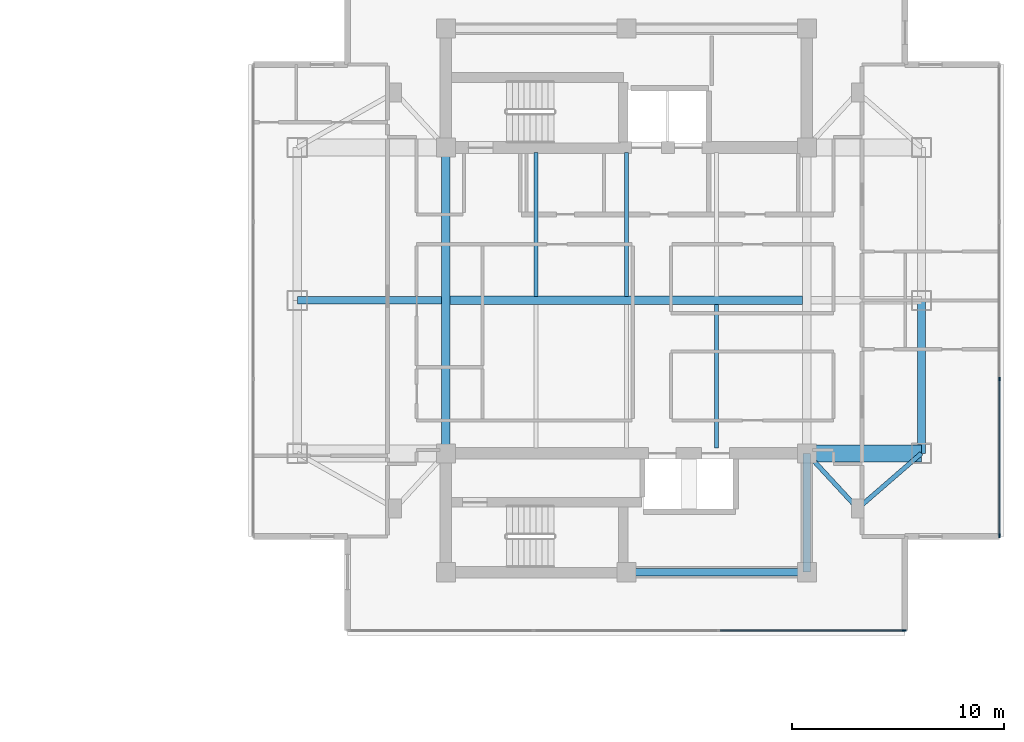
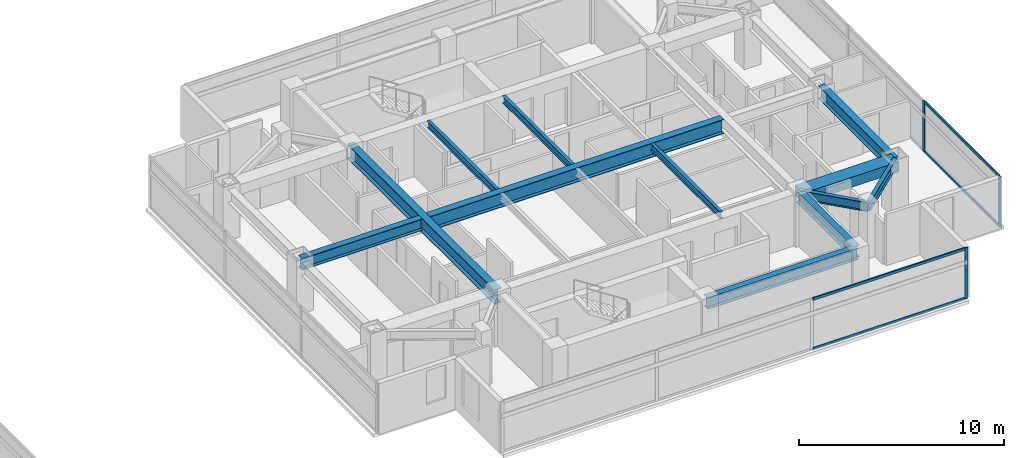
# One storey, part 9 of 24: 12 beams, 7 members, 2 elements without a shape of their own.
"""IFC4 building model written with IfcOpenShell, lengths in metres."""

from ifc_helpers import new_model, si_unit, direction, frame, origin, origin_2d, place, context, subcontext, project, spatial, rectangle, i_section, extrude, material, material_profile, profile_set, type_object, element, aggregate, save


model = new_model("IFC4")

# Units and contexts
model_context = context("Model", 3, precision=1e-05, world=origin(), true_north=direction((0.0, 1.0)))
body_context = subcontext(model_context, "Body", "Model", "MODEL_VIEW")
ifc_project = project(units=[si_unit("LENGTHUNIT", "METRE"), si_unit("AREAUNIT", "SQUARE_METRE"), si_unit("VOLUMEUNIT", "CUBIC_METRE"), si_unit("PLANEANGLEUNIT", "RADIAN"), si_unit("MASSUNIT", "GRAM", prefix="KILO")], contexts=[model_context])

# Site, building, storey
site_placement = place(None, origin())
site = spatial("IfcSite", under=ifc_project, at=site_placement, CompositionType="ELEMENT")
building_placement = place(site_placement, origin())
building = spatial("IfcBuilding", under=site, at=building_placement, Name="Mirazonda Arch Towers", CompositionType="ELEMENT")
storey_placement = place(building_placement, frame((0.0, 0.0, 199.89990234375)))
storey = spatial("IfcBuildingStorey", under=building, at=storey_placement, Name="L57", CompositionType="ELEMENT", Elevation=199.89990234375)

# Beams
ifc_material_1 = material(Name="Steel ASTM A992 Grade 50", Category="steel")
ifc_material_profile_1 = material_profile(ifc_material_1, i_section(OverallWidth=0.381103515625, OverallDepth=0.77294921875, WebThickness=0.0166015625, FlangeThickness=0.027099609375, at=origin_2d()), Name="W30X173")
ifc_profile_set_1 = profile_set([ifc_material_profile_1], Name="Steel ASTM A992 Grade 50")
beam_type_1 = type_object("IfcBeamType", Name="BM-EXT-W30X173", PredefinedType="USERDEFINED", material=ifc_profile_set_1)
beam_1_placement = place(storey_placement, frame((90.39990234375, 20.800048828125, 2.66357421875), z_axis=(0.0, 1.0, 0.0), x_axis=(-1.0, 0.0, 0.0)))
element("IfcBeam", 1, at=beam_1_placement, inside=storey, type_object=beam_type_1, Name="L57 Floor Beam BM-T2-L57-NS-E-20", ObjectType="GIRDER", PredefinedType="USERDEFINED", context=body_context, shape_type="SweptSolid", body=[
    extrude(i_section(OverallWidth=0.381103515625, OverallDepth=0.77294921875, WebThickness=0.0166015625, FlangeThickness=0.027099609375, at=origin_2d()), origin(), (0.0, 0.0, 1.0), 7.199951171875),
])
ifc_material_profile_2 = material_profile(ifc_material_1, i_section(OverallWidth=0.180908203125, OverallDepth=0.4169921875, WebThickness=0.010986328125, FlangeThickness=0.018310546875, at=origin_2d()), Name="W16X57")
ifc_profile_set_2 = profile_set([ifc_material_profile_2], Name="Steel ASTM A992 Grade 50")
beam_type_2 = type_object("IfcBeamType", Name="BM-INT-W16X57", PredefinedType="JOIST", material=ifc_profile_set_2)
for number, where, z_axis, x_axis, name in (
    (2, (72.25, 28.196044921875, 2.841552734375), (0.0, 1.0, 0.0), (-1.0, 0.0, 0.0), "L57 Floor Beam BM-T2-L57-J-722-28"),
    (3, (76.5, 28.196044921875, 2.841552734375), (0.0, 1.0, 0.0), (-1.0, 0.0, 0.0), "L57 Floor Beam BM-T2-L57-J-765-28"),
    (4, (80.75, 21.0400390625, 2.841552734375), (0.0, 1.0, 0.0), (-1.0, 0.0, 0.0), "L57 Floor Beam BM-T2-L57-J-807-20"),
):
    element("IfcBeam", number, at=place(storey_placement, frame(where, z_axis=z_axis, x_axis=x_axis)), inside=storey, type_object=beam_type_2, Name=name, PredefinedType="JOIST", context=body_context, shape_type="SweptSolid", body=[
        extrude(i_section(OverallWidth=0.180908203125, OverallDepth=0.4169921875, WebThickness=0.010986328125, FlangeThickness=0.018310546875, at=origin_2d()), origin(), (0.0, 0.0, 1.0), 6.763916015625),
    ])
ifc_material_profile_3 = material_profile(ifc_material_1, i_section(OverallWidth=0.214111328125, OverallDepth=0.549072265625, WebThickness=0.0146484375, FlangeThickness=0.023681640625, at=origin_2d()), Name="W21X93")
ifc_profile_set_3 = profile_set([ifc_material_profile_3], Name="Steel ASTM A992 Grade 50")
beam_type_3 = type_object("IfcBeamType", Name="BM-INT-W21X93", PredefinedType="BEAM", material=ifc_profile_set_3)
beam_2_placement = place(storey_placement, frame((87.39990234375, 18.199951171875, 2.775634765625), z_axis=(-0.678251444854, 0.734829897019, 0.0), x_axis=(-0.734829897019, -0.678251444854, 0.0)))
element("IfcBeam", 5, at=beam_2_placement, inside=storey, type_object=beam_type_3, Name="L57 Floor Beam BM-T2-L57-PL-SE1", PredefinedType="BEAM", context=body_context, shape_type="SweptSolid", body=[
    extrude(i_section(OverallWidth=0.214111328125, OverallDepth=0.549072265625, WebThickness=0.0146484375, FlangeThickness=0.023681640625, at=origin_2d()), origin(), (0.0, 0.0, 1.0), 3.538330078125),
])
beam_3_placement = place(storey_placement, frame((87.39990234375, 18.199951171875, 2.775634765625), z_axis=(0.755676908098, 0.654944585876, 0.0), x_axis=(-0.654944585876, 0.755676908098, 0.0)))
element("IfcBeam", 6, at=beam_3_placement, inside=storey, type_object=beam_type_3, Name="L57 Floor Beam BM-T2-L57-PL-SE2", PredefinedType="BEAM", context=body_context, shape_type="SweptSolid", body=[
    extrude(i_section(OverallWidth=0.214111328125, OverallDepth=0.549072265625, WebThickness=0.0146484375, FlangeThickness=0.023681640625, at=origin_2d()), origin(), (0.0, 0.0, 1.0), 3.969970703125),
])
ifc_material_profile_4 = material_profile(ifc_material_1, i_section(OverallWidth=0.35498046875, OverallDepth=0.696044921875, WebThickness=0.015380859375, FlangeThickness=0.02490234375, at=origin_2d()), Name="W27X146")
ifc_profile_set_4 = profile_set([ifc_material_profile_4], Name="Steel ASTM A992 Grade 50")
beam_type_4 = type_object("IfcBeamType", Name="BM-INT-W27X146", PredefinedType="BEAM", material=ifc_profile_set_4)
beam_4_placement = place(storey_placement, frame((76.5, 15.199951171875, 2.7021484375), z_axis=(1.0, 0.0, 0.0), x_axis=(0.0, 1.0, 0.0)))
element("IfcBeam", 7, at=beam_4_placement, inside=storey, type_object=beam_type_4, Name="L57 Floor Beam BM-T2-L57-CS2", PredefinedType="BEAM", context=body_context, shape_type="SweptSolid", body=[
    extrude(i_section(OverallWidth=0.35498046875, OverallDepth=0.696044921875, WebThickness=0.015380859375, FlangeThickness=0.02490234375, at=origin_2d()), origin(), (0.0, 0.0, 1.0), 8.5),
])
beam_5_placement = place(storey_placement, frame((85.0, 15.199951171875, 2.7021484375), z_axis=(0.0, 1.0, 0.0), x_axis=(-1.0, 0.0, 0.0)))
element("IfcBeam", 8, at=beam_5_placement, inside=storey, type_object=beam_type_4, Name="L57 Floor Beam BM-T2-L57-CSE", PredefinedType="BEAM", context=body_context, shape_type="SweptSolid", body=[
    extrude(i_section(OverallWidth=0.35498046875, OverallDepth=0.696044921875, WebThickness=0.015380859375, FlangeThickness=0.02490234375, at=origin_2d()), origin(), (0.0, 0.0, 1.0), 5.60009765625),
])
beam_6_placement = place(storey_placement, frame((61.0, 28.0, 2.7021484375), z_axis=(1.0, 0.0, 0.0), x_axis=(0.0, 1.0, 0.0)))
element("IfcBeam", 9, at=beam_6_placement, inside=storey, type_object=beam_type_4, Name="L57 Floor Beam BM-T2-L57-GW2", PredefinedType="BEAM", context=body_context, shape_type="SweptSolid", body=[
    extrude(i_section(OverallWidth=0.35498046875, OverallDepth=0.696044921875, WebThickness=0.015380859375, FlangeThickness=0.02490234375, at=origin_2d()), origin(), (0.0, 0.0, 1.0), 6.800048828125),
])
ifc_material_profile_5 = material_profile(ifc_material_1, i_section(OverallWidth=0.39990234375, OverallDepth=0.85595703125, WebThickness=0.018310546875, FlangeThickness=0.029296875, at=origin_2d()), Name="W33X201")
ifc_profile_set_5 = profile_set([ifc_material_profile_5], Name="Steel ASTM A992 Grade 50")
beam_type_5 = type_object("IfcBeamType", Name="BM-INT-W33X201", PredefinedType="USERDEFINED", material=ifc_profile_set_5)
beam_7_placement = place(storey_placement, frame((68.199951171875, 28.0, 2.6220703125), z_axis=(1.0, 0.0, 0.0), x_axis=(0.0, 1.0, 0.0)))
element("IfcBeam", 10, at=beam_7_placement, inside=storey, type_object=beam_type_5, Name="L57 Floor Beam BM-T2-L57-GC2", ObjectType="GIRDER", PredefinedType="USERDEFINED", context=body_context, shape_type="SweptSolid", body=[
    extrude(i_section(OverallWidth=0.39990234375, OverallDepth=0.85595703125, WebThickness=0.018310546875, FlangeThickness=0.029296875, at=origin_2d()), origin(), (0.0, 0.0, 1.0), 16.60009765625),
])
beam_8_placement = place(storey_placement, frame((68.0, 20.800048828125, 2.6220703125), z_axis=(0.0, 1.0, 0.0), x_axis=(-1.0, 0.0, 0.0)))
element("IfcBeam", 11, at=beam_8_placement, inside=storey, type_object=beam_type_5, Name="L57 Floor Beam BM-T2-L57-NS-CW-FULL", ObjectType="GIRDER", PredefinedType="USERDEFINED", context=body_context, shape_type="SweptSolid", body=[
    extrude(i_section(OverallWidth=0.39990234375, OverallDepth=0.85595703125, WebThickness=0.018310546875, FlangeThickness=0.029296875, at=origin_2d()), origin(), (0.0, 0.0, 1.0), 14.39990234375),
])
ifc_material_2 = material(Name="Concrete C60/75", Category="concrete")
ifc_material_profile_6 = material_profile(ifc_material_2, rectangle(XDim=0.800048828125, YDim=0.60009765625, at=origin_2d()), Name="RCCB800x600")
ifc_profile_set_6 = profile_set([ifc_material_profile_6], Name="Concrete C60/75")
beam_type_6 = type_object("IfcBeamType", Name="CB-INT-RCCB800x600", PredefinedType="SPANDREL", material=ifc_profile_set_6)
beam_9_placement = place(storey_placement, frame((85.0, 20.800048828125, 2.75), z_axis=(1.0, 0.0, 0.0), x_axis=(0.0, 1.0, 0.0)))
element("IfcBeam", 12, at=beam_9_placement, inside=storey, type_object=beam_type_6, Name="L57 Floor Beam CBC-T2-L57-SE", PredefinedType="SPANDREL", context=body_context, shape_type="SweptSolid", body=[
    extrude(rectangle(XDim=0.800048828125, YDim=0.60009765625, at=origin_2d()), origin(), (0.0, 0.0, 1.0), 5.39990234375),
])

# Curtain wall, member
ifc_material_3 = material(Name="Anodised Aluminium and Low-E Glass", Category="aluminium")
curtain_wall_type = type_object("IfcCurtainWallType", Name="CW-RES-UNIT", PredefinedType="NOTDEFINED", material=ifc_material_3)
curtain_wall_1_placement = place(storey_placement, origin())
curtain_wall_1 = element("IfcCurtainWall", 13, at=curtain_wall_1_placement, inside=storey, type_object=curtain_wall_type, Name="L57 T2 S Facade CW-L57-T2-S", PredefinedType="NOTDEFINED")
ifc_material_4 = material(Name="Anodised Aluminium Alloy", Category="aluminium")
ifc_material_profile_7 = material_profile(ifc_material_4, rectangle(XDim=0.074951171875, YDim=0.175048828125, at=origin_2d()), Name="ALU-MULL-75x175")
ifc_profile_set_7 = profile_set([ifc_material_profile_7], Name="Anodised Aluminium Alloy")
member_type_1 = type_object("IfcMemberType", Name="MULL-CW-RES-UNIT", PredefinedType="MULLION", material=ifc_profile_set_7)
member_1_placement = place(storey_placement, frame((89.59033203125, 12.445068359375, 0.0), z_axis=(0.0, 0.0, 1.0), x_axis=(0.0, -1.0, 0.0)))
member_1 = element("IfcMember", 14, at=member_1_placement, type_object=member_type_1, Name="CW-104 mullion 1", PredefinedType="MULLION", context=body_context, shape_type="SweptSolid", body=[
    extrude(rectangle(XDim=0.074951171875, YDim=0.175048828125, at=origin_2d()), origin(), (0.0, 0.0, 1.0), 3.030029296875),
])

# Curtain wall, members
curtain_wall_2_placement = place(storey_placement, origin())
curtain_wall_2 = element("IfcCurtainWall", 15, at=curtain_wall_2_placement, inside=storey, type_object=curtain_wall_type, Name="L57 T2 E Facade CW-L57-T2-E", PredefinedType="NOTDEFINED")
member_2_placement = place(storey_placement, frame((94.0673828125, 16.922119140625, 0.0), z_axis=(0.0, 0.0, 1.0), x_axis=(-1.0, 0.0, 0.0)))
member_2 = element("IfcMember", 16, at=member_2_placement, type_object=member_type_1, Name="CW-104 mullion 1", PredefinedType="MULLION", context=body_context, shape_type="SweptSolid", body=[
    extrude(rectangle(XDim=0.074951171875, YDim=0.175048828125, at=origin_2d()), origin(), (0.0, 0.0, 1.0), 3.030029296875),
])
member_3_placement = place(storey_placement, frame((94.0673828125, 24.294921875, 0.0), z_axis=(0.0, 0.0, 1.0), x_axis=(-1.0, 0.0, 0.0)))
member_3 = element("IfcMember", 17, at=member_3_placement, type_object=member_type_1, Name="CW-104 mullion 2", PredefinedType="MULLION", context=body_context, shape_type="SweptSolid", body=[
    extrude(rectangle(XDim=0.074951171875, YDim=0.175048828125, at=origin_2d()), origin(), (0.0, 0.0, 1.0), 3.030029296875),
])

# Member
ifc_material_profile_8 = material_profile(ifc_material_4, rectangle(XDim=0.074951171875, YDim=0.155029296875, at=origin_2d()), Name="ALU-TRAN-75x155")
ifc_profile_set_8 = profile_set([ifc_material_profile_8], Name="Anodised Aluminium Alloy")
member_type_2 = type_object("IfcMemberType", Name="TRAN-CW-RES-UNIT", PredefinedType="USERDEFINED", material=ifc_profile_set_8)
member_4_placement = place(storey_placement, frame((89.552734375, 12.445068359375, 0.03759765625), z_axis=(-1.0, 0.0, 0.0), x_axis=(0.0, -1.0, 0.0)))
member_4 = element("IfcMember", 18, at=member_4_placement, type_object=member_type_2, Name="CW-104 transom 1.1", ObjectType="TRANSOM", PredefinedType="USERDEFINED", context=body_context, shape_type="SweptSolid", body=[
    extrude(rectangle(XDim=0.074951171875, YDim=0.155029296875, at=origin_2d()), origin(), (0.0, 0.0, 1.0), 8.639404296875),
])

member_5_placement = place(storey_placement, frame((89.552734375, 12.445068359375, 2.99267578125), z_axis=(-1.0, 0.0, 0.0), x_axis=(0.0, -1.0, 0.0)))
member_5 = element("IfcMember", 19, at=member_5_placement, type_object=member_type_2, Name="CW-104 transom 1.2", ObjectType="TRANSOM", PredefinedType="USERDEFINED", context=body_context, shape_type="SweptSolid", body=[
    extrude(rectangle(XDim=0.074951171875, YDim=0.155029296875, at=origin_2d()), origin(), (0.0, 0.0, 1.0), 8.639404296875),
])

aggregate(curtain_wall_1, [member_1, member_4, member_5])

member_6_placement = place(storey_placement, frame((94.0673828125, 16.959716796875, 0.03759765625), z_axis=(0.0, 1.0, 0.0), x_axis=(-1.0, 0.0, 0.0)))
member_6 = element("IfcMember", 20, at=member_6_placement, type_object=member_type_2, Name="CW-104 transom 1.1", ObjectType="TRANSOM", PredefinedType="USERDEFINED", context=body_context, shape_type="SweptSolid", body=[
    extrude(rectangle(XDim=0.074951171875, YDim=0.155029296875, at=origin_2d()), origin(), (0.0, 0.0, 1.0), 7.297607421875),
])

member_7_placement = place(storey_placement, frame((94.0673828125, 16.959716796875, 2.99267578125), z_axis=(0.0, 1.0, 0.0), x_axis=(-1.0, 0.0, 0.0)))
member_7 = element("IfcMember", 21, at=member_7_placement, type_object=member_type_2, Name="CW-104 transom 1.2", ObjectType="TRANSOM", PredefinedType="USERDEFINED", context=body_context, shape_type="SweptSolid", body=[
    extrude(rectangle(XDim=0.074951171875, YDim=0.155029296875, at=origin_2d()), origin(), (0.0, 0.0, 1.0), 7.297607421875),
])

aggregate(curtain_wall_2, [member_2, member_3, member_6, member_7])

save(model, "model.ifc")
